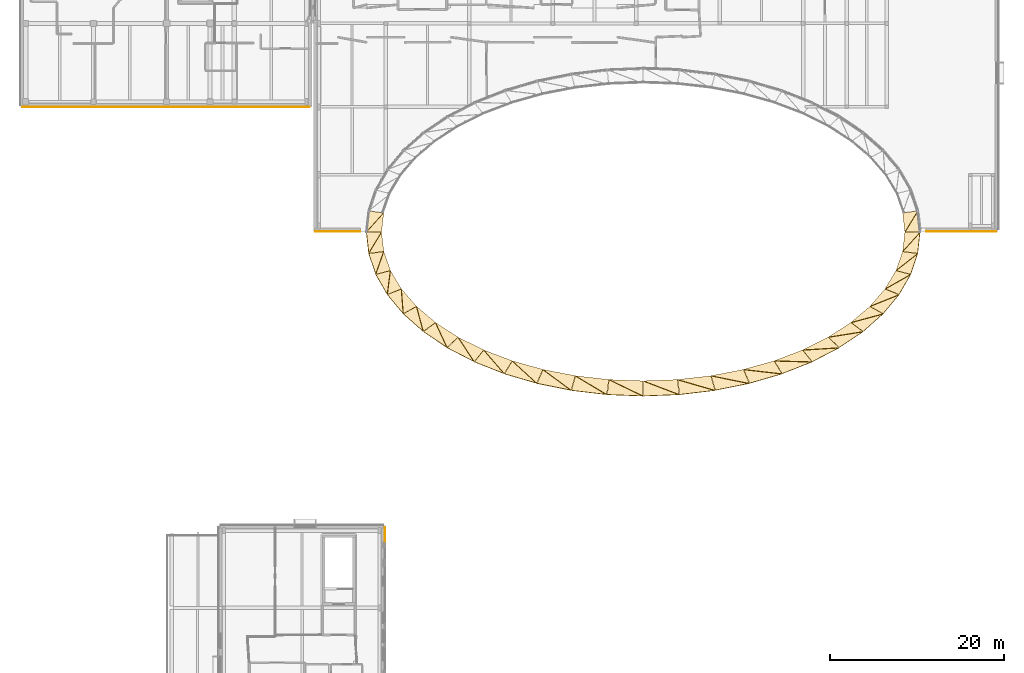
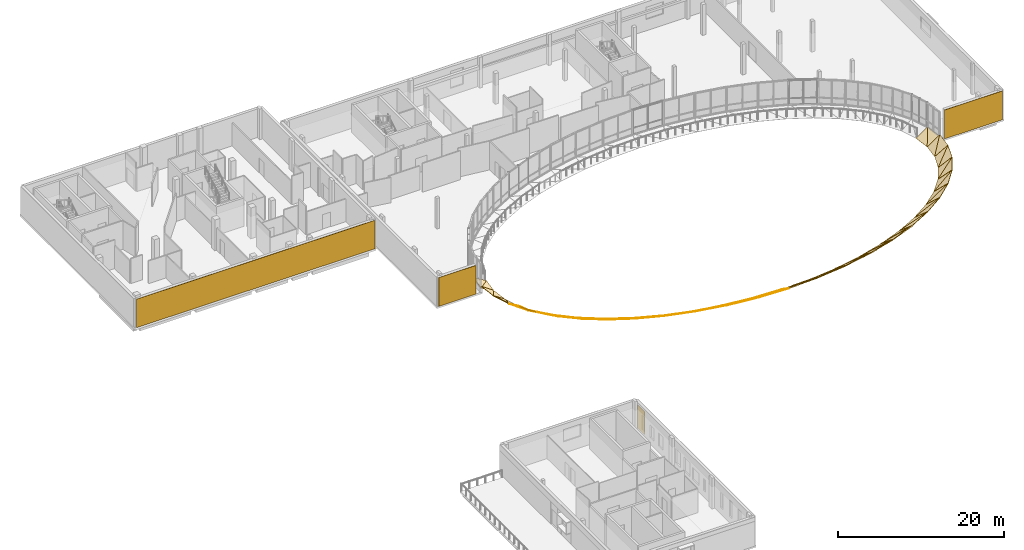
# One storey, part 31 of 41: 56 coverings.
"""IFC4 building model written with IfcOpenShell, lengths in metres."""

from ifc_helpers import new_model, si_unit, direction, frame, origin, origin_2d, place, context, subcontext, project, spatial, polyline, rectangle, outline, extrude, material, layer, layer_set, type_object, element, save


model = new_model("IFC4")

# Units and contexts
model_context = context("Model", 3, precision=1e-05, world=origin(), true_north=direction((0.0, 1.0)))
body_context = subcontext(model_context, "Body", "Model", "MODEL_VIEW")
ifc_project = project(units=[si_unit("LENGTHUNIT", "METRE"), si_unit("AREAUNIT", "SQUARE_METRE"), si_unit("VOLUMEUNIT", "CUBIC_METRE"), si_unit("PLANEANGLEUNIT", "RADIAN"), si_unit("MASSUNIT", "GRAM", prefix="KILO")], contexts=[model_context])

# Site, building, storey
site_placement = place(None, origin())
site = spatial("IfcSite", under=ifc_project, at=site_placement, CompositionType="ELEMENT")
building_placement = place(site_placement, origin())
building = spatial("IfcBuilding", under=site, at=building_placement, Name="Mzevani Central Library", CompositionType="ELEMENT")
storey_placement = place(building_placement, frame((0.0, 0.0, 13.800048828125)))
storey = spatial("IfcBuildingStorey", under=building, at=storey_placement, Name="L03", CompositionType="ELEMENT", Elevation=13.800048828125)

# Coverings
ifc_material = material(Name="Limestone ashlar cladding", Category="masonry")
ifc_layer = layer(ifc_material, 0.050048828125, Name="Limestone Ashlar Spandrel Cladding")
ifc_layer_set = layer_set([ifc_layer], Name="Limestone ashlar cladding")
covering_type = type_object("IfcCoveringType", Name="Limestone Ashlar Spandrel Cladding", PredefinedType="CLADDING", material=ifc_layer_set)
covering_1_placement = place(storey_placement, frame((114.079833984375, 76.0029296875, -0.280029296875), z_axis=(-0.47997782433, -0.055465276896, 0.875525494323), x_axis=(-0.114794080666, 0.993389308904, 0.0)))
element("IfcCovering", 1, at=covering_1_placement, inside=storey, type_object=covering_type, Name="L03 Curved Court Spandrel Apron 1A", PredefinedType="CLADDING", context=body_context, shape_type="SweptSolid", body=[
    extrude(outline(polyline([(0.0, 0.0), (2.2352354353658583, -2.7755575615628914e-17), (2.2497602106390158, -1.9867895638883821), (0.0, 0.0)])), origin(), (0.0, 0.0, -1.0), 0.06005859375),
])
covering_2_placement = place(storey_placement, frame((114.079833984375, 76.0029296875, -0.280029296875), z_axis=(-0.482241605651, -0.053652407784, 0.874393763083), x_axis=(0.489670774903, 0.81112906434, 0.319831476232)))
element("IfcCovering", 2, at=covering_2_placement, inside=storey, type_object=covering_type, Name="L03 Curved Court Spandrel Apron 1B", PredefinedType="CLADDING", context=body_context, shape_type="SweptSolid", body=[
    extrude(outline(polyline([(0.0, 0.0), (3.0014586081687504, 1.1102230246251565e-16), (1.1634047404029688, -1.6110894686212238), (0.0, 0.0)])), origin(), (0.0, 0.0, -1.0), 0.06005859375),
])
covering_3_placement = place(storey_placement, frame((54.1767578125, 78.223388671875, -0.280029296875), z_axis=(0.482182011193, -0.055719988319, 0.874297312694), x_axis=(-0.114794080666, -0.993389308904, 0.0)))
element("IfcCovering", 3, at=covering_3_placement, inside=storey, type_object=covering_type, Name="L03 Curved Court Spandrel Apron 24A", PredefinedType="CLADDING", context=body_context, shape_type="SweptSolid", body=[
    extrude(outline(polyline([(0.0, 0.0), (2.2352354353658583, 0.0), (2.429640427580471, -1.977707401234155), (0.0, 0.0)])), origin(), (0.0, 0.0, -1.0), 0.06005859375),
])
covering_4_placement = place(storey_placement, frame((54.1767578125, 78.223388671875, -0.280029296875), z_axis=(0.480225435145, -0.053428096151, 0.875516401892), x_axis=(-0.637314103568, -0.707061734125, 0.306421992569)))
element("IfcCovering", 4, at=covering_4_placement, inside=storey, type_object=covering_type, Name="L03 Curved Court Spandrel Apron 24B", PredefinedType="CLADDING", context=body_context, shape_type="SweptSolid", body=[
    extrude(outline(polyline([(0.0, 0.0), (3.1328069158870564, -1.1102230246251565e-16), (1.2429702539752843, -1.5500221572626436), (0.0, 0.0)])), origin(), (0.0, 0.0, -1.0), 0.06005859375),
])
covering_5_placement = place(storey_placement, frame((53.920166015625, 75.9970703125, -0.280029296875), z_axis=(0.5735270225, 0.066275635035, 0.816501252089), x_axis=(0.114794080666, -0.993389308904, 0.0)))
element("IfcCovering", 5, at=covering_5_placement, inside=storey, type_object=covering_type, Name="L03 Curved Court Spandrel Apron 25A", PredefinedType="CLADDING", context=body_context, shape_type="SweptSolid", body=[
    extrude(outline(polyline([(0.0, 0.0), (2.2352354353658583, 0.0), (2.2497602106390153, -2.1304130405056148), (0.0, 0.0)])), origin(), (0.0, 0.0, -1.0), 0.06005859375),
])
covering_6_placement = place(storey_placement, frame((53.920166015625, 75.9970703125, -0.280029296875), z_axis=(0.575913847332, 0.064074033065, 0.814995557496), x_axis=(-0.474350213883, -0.785750885854, 0.39697282019)))
element("IfcCovering", 6, at=covering_6_placement, inside=storey, type_object=covering_type, Name="L03 Curved Court Spandrel Apron 25B", PredefinedType="CLADDING", context=body_context, shape_type="SweptSolid", body=[
    extrude(outline(polyline([(0.0, 0.0), (3.098399704449199, -1.1102230246251565e-16), (1.3178538969597815, -1.6744276407605159), (0.0, 0.0)])), origin(), (0.0, 0.0, -1.0), 0.06005859375),
])
covering_7_placement = place(storey_placement, frame((54.17724609375, 73.7705078125, -0.280029296875), z_axis=(0.546413690151, 0.19161151215, 0.815301850621), x_axis=(0.330914578924, -0.943660713104, 0.0)))
element("IfcCovering", 7, at=covering_7_placement, inside=storey, type_object=covering_type, Name="L03 Curved Court Spandrel Apron 26A", PredefinedType="CLADDING", context=body_context, shape_type="SweptSolid", body=[
    extrude(outline(polyline([(0.0, 0.0), (2.3129257763854043, 0.0), (2.160956113418413, -2.1241858818043133), (0.0, 0.0)])), origin(), (0.0, 0.0, -1.0), 0.06005859375),
])
covering_8_placement = place(storey_placement, frame((54.17724609375, 73.7705078125, -0.280029296875), z_axis=(0.55392117989, 0.187075834067, 0.811279211355), x_axis=(-0.303346385566, -0.862099953666, 0.405912109025)))
element("IfcCovering", 8, at=covering_8_placement, inside=storey, type_object=covering_type, Name="L03 Curved Court Spandrel Apron 26B", PredefinedType="CLADDING", context=body_context, shape_type="SweptSolid", body=[
    extrude(outline(polyline([(0.0, 0.0), (3.0301645144409535, 0.0), (1.2163499550341168, -1.7496973851013826), (0.0, 0.0)])), origin(), (0.0, 0.0, -1.0), 0.06005859375),
])
covering_9_placement = place(storey_placement, frame((54.943603515625, 71.581787109375, -0.280029296875), z_axis=(0.500145024317, 0.299414823386, 0.812530441391), x_axis=(0.513647601464, -0.858001247965, 0.0)))
element("IfcCovering", 9, at=covering_9_placement, inside=storey, type_object=covering_type, Name="L03 Curved Court Spandrel Apron 27A", PredefinedType="CLADDING", context=body_context, shape_type="SweptSolid", body=[
    extrude(outline(polyline([(0.0, 0.0), (2.455914533191977, 2.220446049250313e-16), (2.1741932049291943, -2.1100375408153296), (0.0, 0.0)])), origin(), (0.0, 0.0, -1.0), 0.06005859375),
])
covering_10_placement = place(storey_placement, frame((54.943603515625, 71.581787109375, -0.280029296875), z_axis=(0.512199356222, 0.295180440173, 0.806548403523), x_axis=(-0.11692326112, -0.906376871867, 0.405967876997)))
element("IfcCovering", 10, at=covering_10_placement, inside=storey, type_object=covering_type, Name="L03 Curved Court Spandrel Apron 27B", PredefinedType="CLADDING", context=body_context, shape_type="SweptSolid", body=[
    extrude(outline(polyline([(0.0, 0.0), (3.0297482595110576, 0.0), (1.095514759993459, -1.827269831370267), (0.0, 0.0)])), origin(), (0.0, 0.0, -1.0), 0.06005859375),
])
covering_11_placement = place(storey_placement, frame((56.20654296875, 69.468017578125, -0.280029296875), z_axis=(0.442788848912, 0.385097373002, 0.809714794595), x_axis=(0.65624041915, -0.754551861884, 0.0)))
element("IfcCovering", 11, at=covering_11_placement, inside=storey, type_object=covering_type, Name="L03 Curved Court Spandrel Apron 28A", PredefinedType="CLADDING", context=body_context, shape_type="SweptSolid", body=[
    extrude(outline(polyline([(0.0, 0.0), (2.6447558737265093, 0.0), (2.2791691206791382, -2.0959968957131534), (0.0, 0.0)])), origin(), (0.0, 0.0, -1.0), 0.06005859375),
])
covering_12_placement = place(storey_placement, frame((56.20654296875, 69.468017578125, -0.280029296875), z_axis=(0.457545474013, 0.383061327081, 0.802443866513), x_axis=(0.069463416618, -0.915087869776, 0.397226666201)))
element("IfcCovering", 12, at=covering_12_placement, inside=storey, type_object=covering_type, Name="L03 Curved Court Spandrel Apron 28B", PredefinedType="CLADDING", context=body_context, shape_type="SweptSolid", body=[
    extrude(outline(polyline([(0.0, 0.0), (3.0964196852972776, 0.0), (0.9712517236490238, -1.8957277798903167), (0.0, 0.0)])), origin(), (0.0, 0.0, -1.0), 0.06005859375),
])
covering_13_placement = place(storey_placement, frame((57.9443359375, 67.465576171875, -0.280029296875), z_axis=(0.381291681856, 0.44925910001, 0.807949821713), x_axis=(0.762423614177, -0.647078227531, 0.0)))
element("IfcCovering", 13, at=covering_13_placement, inside=storey, type_object=covering_type, Name="L03 Curved Court Spandrel Apron 29A", PredefinedType="CLADDING", context=body_context, shape_type="SweptSolid", body=[
    extrude(outline(polyline([(0.0, 0.0), (2.8595333889310774, 0.0), (2.454430747507569, -2.0873615121675813), (0.0, 0.0)])), origin(), (0.0, 0.0, -1.0), 0.06005859375),
])
covering_14_placement = place(storey_placement, frame((57.9443359375, 67.465576171875, -0.280029296875), z_axis=(0.39675879256, 0.450061891319, 0.800016721393), x_axis=(0.242094469604, -0.891998778147, 0.381743955514)))
element("IfcCovering", 14, at=covering_14_placement, inside=storey, type_object=covering_type, Name="L03 Curved Court Spandrel Apron 29B", PredefinedType="CLADDING", context=body_context, shape_type="SweptSolid", body=[
    extrude(outline(polyline([(0.0, 0.0), (3.2220037828638715, 0.0), (0.8602863879682051, -1.9478026607298742), (0.0, 0.0)])), origin(), (0.0, 0.0, -1.0), 0.06005859375),
])
covering_15_placement = place(storey_placement, frame((60.127685546875, 65.60791015625, -0.280029296875), z_axis=(0.32019129838, 0.495168157045, 0.807642265295), x_axis=(0.839733807204, -0.54299828088, 0.0)))
element("IfcCovering", 15, at=covering_15_placement, inside=storey, type_object=covering_type, Name="L03 Curved Court Spandrel Apron 30A", PredefinedType="CLADDING", context=body_context, shape_type="SweptSolid", body=[
    extrude(outline(polyline([(0.0, 0.0), (3.081217311430392, 2.220446049250313e-16), (2.674139354776294, -2.085869551817346), (0.0, 0.0)])), origin(), (0.0, 0.0, -1.0), 0.06005859375),
])
covering_16_placement = place(storey_placement, frame((60.127685546875, 65.60791015625, -0.280029296875), z_axis=(0.334759648542, 0.498500295628, 0.799645817201), x_axis=(0.392402665385, -0.845274646294, 0.362671918586)))
element("IfcCovering", 16, at=covering_16_placement, inside=storey, type_object=covering_type, Name="L03 Curved Court Spandrel Apron 30B", PredefinedType="CLADDING", context=body_context, shape_type="SweptSolid", body=[
    extrude(outline(polyline([(0.0, 0.0), (3.3914411503020463, 0.0), (0.7747889580100609, -1.9829345938063447), (0.0, 0.0)])), origin(), (0.0, 0.0, -1.0), 0.06005859375),
])
covering_17_placement = place(storey_placement, frame((62.719482421875, 63.927001953125, -0.280029296875), z_axis=(0.261973641642, 0.526780608858, 0.808623522547), x_axis=(0.89538829801, -0.44528619537, 0.0)))
element("IfcCovering", 17, at=covering_17_placement, inside=storey, type_object=covering_type, Name="L03 Curved Court Spandrel Apron 31A", PredefinedType="CLADDING", context=body_context, shape_type="SweptSolid", body=[
    extrude(outline(polyline([(0.0, 0.0), (3.2951507850640365, 0.0), (2.916792839771798, -2.0906428596265743), (0.0, 0.0)])), origin(), (0.0, 0.0, -1.0), 0.06005859375),
])
covering_18_placement = place(storey_placement, frame((62.719482421875, 63.927001953125, -0.280029296875), z_axis=(0.274739668398, 0.531887640919, 0.801007897618), x_axis=(0.517989340069, -0.783719096086, 0.342741042195)))
element("IfcCovering", 18, at=covering_18_placement, inside=storey, type_object=covering_type, Name="L03 Curved Court Spandrel Apron 31B", PredefinedType="CLADDING", context=body_context, shape_type="SweptSolid", body=[
    extrude(outline(polyline([(0.0, 0.0), (3.588658250189284, -2.220446049250313e-16), (0.7208752017253054, -2.0025370154272646), (0.0, 0.0)])), origin(), (0.0, 0.0, -1.0), 0.06005859375),
])
covering_19_placement = place(storey_placement, frame((65.67626953125, 62.451416015625, -0.280029296875), z_axis=(0.20758036061, 0.547808834754, 0.810441777338), x_axis=(0.93511588963, -0.354342028217, 0.0)))
element("IfcCovering", 19, at=covering_19_placement, inside=storey, type_object=covering_type, Name="L03 Curved Court Spandrel Apron 32A", PredefinedType="CLADDING", context=body_context, shape_type="SweptSolid", body=[
    extrude(outline(polyline([(0.0, 0.0), (3.4890812450952597, 1.1102230246251565e-16), (3.164211003032522, -2.09959060039599), (0.0, 0.0)])), origin(), (0.0, 0.0, -1.0), 0.06005859375),
])
covering_20_placement = place(storey_placement, frame((65.67626953125, 62.451416015625, -0.280029296875), z_axis=(0.217917053909, 0.553721727055, 0.803681781928), x_axis=(0.620407480774, -0.714272239523, 0.323897708615)))
element("IfcCovering", 20, at=covering_20_placement, inside=storey, type_object=covering_type, Name="L03 Curved Court Spandrel Apron 32B", PredefinedType="CLADDING", context=body_context, shape_type="SweptSolid", body=[
    extrude(outline(polyline([(0.0, 0.0), (3.7974349185974576, 1.1102230246251565e-16), (0.6991574982329967, -2.0103259258387185), (0.0, 0.0)])), origin(), (0.0, 0.0, -1.0), 0.06005859375),
])
covering_21_placement = place(storey_placement, frame((68.947509765625, 61.20654296875, -0.280029296875), z_axis=(0.156933696402, 0.561239436201, 0.812638978998), x_axis=(0.963059013097, -0.269290432977, 0.0)))
element("IfcCovering", 21, at=covering_21_placement, inside=storey, type_object=covering_type, Name="L03 Curved Court Spandrel Apron 33A", PredefinedType="CLADDING", context=body_context, shape_type="SweptSolid", body=[
    extrude(outline(polyline([(0.0, 0.0), (3.6545333174156096, 1.1102230246251565e-16), (3.402758677857248, -2.1105854292438666), (0.0, 0.0)])), origin(), (0.0, 0.0, -1.0), 0.06005859375),
])
covering_22_placement = place(storey_placement, frame((68.947509765625, 61.20654296875, -0.280029296875), z_axis=(0.164745206954, 0.567102974923, 0.807002622436), x_axis=(0.703064318218, -0.641360988928, 0.307175269723)))
element("IfcCovering", 22, at=covering_22_placement, inside=storey, type_object=covering_type, Name="L03 Curved Court Spandrel Apron 33B", PredefinedType="CLADDING", context=body_context, shape_type="SweptSolid", body=[
    extrude(outline(polyline([(0.0, 0.0), (4.004165015814074, 1.1102230246251565e-16), (0.707199212595653, -2.0079392534418745), (0.0, 0.0)])), origin(), (0.0, 0.0, -1.0), 0.06005859375),
])
covering_23_placement = place(storey_placement, frame((72.478515625, 60.214111328125, -0.280029296875), z_axis=(0.109638122256, 0.569519529263, 0.81463303882), x_axis=(0.981969613273, -0.189038828311, 0.0)))
element("IfcCovering", 23, at=covering_23_placement, inside=storey, type_object=covering_type, Name="L03 Curved Court Spandrel Apron 34A", PredefinedType="CLADDING", context=body_context, shape_type="SweptSolid", body=[
    extrude(outline(polyline([(0.0, 0.0), (3.784048164297047, 0.0), (3.6216239517819195, -2.1207410513115637), (0.0, 0.0)])), origin(), (0.0, 0.0, -1.0), 0.06005859375),
])
covering_24_placement = place(storey_placement, frame((72.478515625, 60.214111328125, -0.280029296875), z_axis=(0.114876946011, 0.574456393774, 0.810433920148), x_axis=(0.769558675009, -0.56735246484, 0.293071026132)))
element("IfcCovering", 24, at=covering_24_placement, inside=storey, type_object=covering_type, Name="L03 Curved Court Spandrel Apron 34B", PredefinedType="CLADDING", context=body_context, shape_type="SweptSolid", body=[
    extrude(outline(polyline([(0.0, 0.0), (4.196868196028864, 2.220446049250313e-16), (0.7406922487566316, -1.9968414063289384), (0.0, 0.0)])), origin(), (0.0, 0.0, -1.0), 0.06005859375),
])
covering_25_placement = place(storey_placement, frame((76.208984375, 59.491943359375, -0.280029296875), z_axis=(0.064829182205, 0.574461623539, 0.815960182984), x_axis=(0.993692390182, -0.112140241191, 0.0)))
element("IfcCovering", 25, at=covering_25_placement, inside=storey, type_object=covering_type, Name="L03 Curved Court Spandrel Apron 35A", PredefinedType="CLADDING", context=body_context, shape_type="SweptSolid", body=[
    extrude(outline(polyline([(0.0, 0.0), (3.8730625800556404, 0.0), (3.81223115177477, -2.1275959642686697), (0.0, 0.0)])), origin(), (0.0, 0.0, -1.0), 0.06005859375),
])
covering_26_placement = place(storey_placement, frame((76.208984375, 59.491943359375, -0.280029296875), z_axis=(0.067673772457, 0.577749610099, 0.813403742647), x_axis=(0.823113109843, -0.493062591853, 0.281734074828)))
element("IfcCovering", 26, at=covering_26_placement, inside=storey, type_object=covering_type, Name="L03 Curved Court Spandrel Apron 35B", PredefinedType="CLADDING", context=body_context, shape_type="SweptSolid", body=[
    extrude(outline(polyline([(0.0, 0.0), (4.36574975711324, 0.0), (0.7947536804281401, -1.9768724432943368), (0.0, 0.0)])), origin(), (0.0, 0.0, -1.0), 0.06005859375),
])
covering_27_placement = place(storey_placement, frame((80.074951171875, 59.0537109375, -0.280029296875), z_axis=(0.021447774697, 0.577182648264, 0.816333377673), x_axis=(0.999310302788, -0.037133795153, 0.0)))
element("IfcCovering", 27, at=covering_27_placement, inside=storey, type_object=covering_type, Name="L03 Curved Court Spandrel Apron 36A", PredefinedType="CLADDING", context=body_context, shape_type="SweptSolid", body=[
    extrude(outline(polyline([(0.0, 0.0), (3.9184740450005444, 1.3877787807814457e-17), (3.9669480544956444, -2.129537605376048), (0.0, 0.0)])), origin(), (0.0, 0.0, -1.0), 0.06005859375),
])
covering_28_placement = place(storey_placement, frame((80.074951171875, 59.0537109375, -0.280029296875), z_axis=(0.022322941551, 0.578410697178, 0.815440219557), x_axis=(0.866128743991, -0.418559304756, 0.273183285058)))
element("IfcCovering", 28, at=covering_28_placement, inside=storey, type_object=covering_type, Name="L03 Curved Court Spandrel Apron 36B", PredefinedType="CLADDING", context=body_context, shape_type="SweptSolid", body=[
    extrude(outline(polyline([(0.0, 0.0), (4.5024001687741535, -1.1102230246251565e-16), (0.8634158749059977, -1.9480062628234944), (0.0, 0.0)])), origin(), (0.0, 0.0, -1.0), 0.06005859375),
])
covering_29_placement = place(storey_placement, frame((84.00927734375, 58.908203125, -0.280029296875), z_axis=(-0.021496457164, 0.578492745727, 0.815404222132), x_axis=(0.999310302788, 0.037133795153, 0.0)))
element("IfcCovering", 29, at=covering_29_placement, inside=storey, type_object=covering_type, Name="L03 Curved Court Spandrel Apron 37A", PredefinedType="CLADDING", context=body_context, shape_type="SweptSolid", body=[
    extrude(outline(polyline([(0.0, 0.0), (3.9184740450005444, -1.3877787807814457e-17), (4.079103990928298, -2.1247148969945338), (0.0, 0.0)])), origin(), (0.0, 0.0, -1.0), 0.06005859375),
])
covering_30_placement = place(storey_placement, frame((84.00927734375, 58.908203125, -0.280029296875), z_axis=(-0.022274946463, 0.577167094402, 0.816322223083), x_axis=(0.900274096027, -0.343494910106, 0.267428118855)))
element("IfcCovering", 30, at=covering_30_placement, inside=storey, type_object=covering_type, Name="L03 Curved Court Spandrel Apron 37B", PredefinedType="CLADDING", context=body_context, shape_type="SweptSolid", body=[
    extrude(outline(polyline([(0.0, 0.0), (4.5992937242926395, 3.3306690738754696e-16), (0.9407800775908485, -1.9110763951018384), (0.0, 0.0)])), origin(), (0.0, 0.0, -1.0), 0.06005859375),
])
covering_31_placement = place(storey_placement, frame((87.9423828125, 59.0576171875, -0.280029296875), z_axis=(-0.065260115861, 0.578280194735, 0.813223913603), x_axis=(0.993692390182, 0.112140241191, 0.0)))
element("IfcCovering", 31, at=covering_31_placement, inside=storey, type_object=covering_type, Name="L03 Curved Court Spandrel Apron 38A", PredefinedType="CLADDING", context=body_context, shape_type="SweptSolid", body=[
    extrude(outline(polyline([(0.0, 0.0), (3.8730625800556404, 5.551115123125783e-17), (4.142465927325956, -2.1135467598541897), (0.0, 0.0)])), origin(), (0.0, 0.0, -1.0), 0.06005859375),
])
covering_32_placement = place(storey_placement, frame((87.9423828125, 59.0576171875, -0.280029296875), z_axis=(-0.067249722465, 0.574129378676, 0.81599811971), x_axis=(0.926585668683, -0.267371150742, 0.264483773305)))
element("IfcCovering", 32, at=covering_32_placement, inside=storey, type_object=covering_type, Name="L03 Curved Court Spandrel Apron 38B", PredefinedType="CLADDING", context=body_context, shape_type="SweptSolid", body=[
    extrude(outline(polyline([(0.0, 0.0), (4.650495012914931, -1.1102230246251565e-16), (1.021120466945278, -1.8675326079681924), (0.0, 0.0)])), origin(), (0.0, 0.0, -1.0), 0.06005859375),
])
covering_33_placement = place(storey_placement, frame((91.8056640625, 59.498779296875, -0.280029296875), z_axis=(-0.110856477839, 0.575848325155, 0.810005893643), x_axis=(0.981969613273, 0.189038828311, 0.0)))
element("IfcCovering", 33, at=covering_33_placement, inside=storey, type_object=covering_type, Name="L03 Curved Court Spandrel Apron 39A", PredefinedType="CLADDING", context=body_context, shape_type="SweptSolid", body=[
    extrude(outline(polyline([(0.0, 0.0), (3.784048164297047, 1.1102230246251565e-16), (4.153878148929162, -2.0974332866303276), (0.0, 0.0)])), origin(), (0.0, 0.0, -1.0), 0.06005859375),
])
covering_34_placement = place(storey_placement, frame((91.8056640625, 59.498779296875, -0.280029296875), z_axis=(-0.113680111437, 0.568471474286, 0.814811030354), x_axis=(0.945581071094, -0.18976678323, 0.264319893257)))
element("IfcCovering", 34, at=covering_34_placement, inside=storey, type_object=covering_type, Name="L03 Curved Court Spandrel Apron 39B", PredefinedType="CLADDING", context=body_context, shape_type="SweptSolid", body=[
    extrude(outline(polyline([(0.0, 0.0), (4.653378349974999, -2.220446049250313e-16), (1.100848216980626, -1.8199058862204422), (0.0, 0.0)])), origin(), (0.0, 0.0, -1.0), 0.06005859375),
])
covering_35_placement = place(storey_placement, frame((95.532958984375, 60.222412109375, -0.280029296875), z_axis=(-0.15930764644, 0.569729355265, 0.806244091783), x_axis=(0.963059013097, 0.269290432977, 0.0)))
element("IfcCovering", 35, at=covering_35_placement, inside=storey, type_object=covering_type, Name="L03 Curved Court Spandrel Apron 40A", PredefinedType="CLADDING", context=body_context, shape_type="SweptSolid", body=[
    extrude(outline(polyline([(0.0, 0.0), (3.6545333174156096, 0.0), (4.111864521082761, -2.0791341808457147), (0.0, 0.0)])), origin(), (0.0, 0.0, -1.0), 0.06005859375),
])
covering_36_placement = place(storey_placement, frame((95.532958984375, 60.222412109375, -0.280029296875), z_axis=(-0.162421621791, 0.559104489974, 0.813032217114), x_axis=(0.957407516594, -0.110052322318, 0.266944439017)))
element("IfcCovering", 36, at=covering_36_placement, inside=storey, type_object=covering_type, Name="L03 Curved Court Spandrel Apron 40B", PredefinedType="CLADDING", context=body_context, shape_type="SweptSolid", body=[
    extrude(outline(polyline([(0.0, 0.0), (4.60762723988173, -1.1102230246251565e-16), (1.177003475669117, -1.769922072161393), (0.0, 0.0)])), origin(), (0.0, 0.0, -1.0), 0.06005859375),
])
covering_37_placement = place(storey_placement, frame((99.06103515625, 61.215087890625, -0.280029296875), z_axis=(-0.211396154331, 0.557878792749, 0.802547767136), x_axis=(0.93511588963, 0.354342028217, 0.0)))
element("IfcCovering", 37, at=covering_37_placement, inside=storey, type_object=covering_type, Name="L03 Curved Court Spandrel Apron 41A", PredefinedType="CLADDING", context=body_context, shape_type="SweptSolid", body=[
    extrude(outline(polyline([(0.0, 0.0), (3.4890812450952597, -1.1102230246251565e-16), (4.017907647982616, -2.0616920650387978), (0.0, 0.0)])), origin(), (0.0, 0.0, -1.0), 0.06005859375),
])
covering_38_placement = place(storey_placement, frame((99.06103515625, 61.215087890625, -0.280029296875), z_axis=(-0.214202728314, 0.544283719581, 0.811093350843), x_axis=(0.961806134662, -0.027355061781, 0.272361267294)))
element("IfcCovering", 38, at=covering_38_placement, inside=storey, type_object=covering_type, Name="L03 Curved Court Spandrel Apron 41B", PredefinedType="CLADDING", context=body_context, shape_type="SweptSolid", body=[
    extrude(outline(polyline([(0.0, 0.0), (4.515988932533066, 0.0), (1.247483582101115, -1.719769192606167), (0.0, 0.0)])), origin(), (0.0, 0.0, -1.0), 0.06005859375),
])
covering_39_placement = place(storey_placement, frame((102.330078125, 62.459716796875, -0.280029296875), z_axis=(-0.267477411033, 0.537847672602, 0.799484656303), x_axis=(0.89538829801, 0.44528619537, 0.0)))
element("IfcCovering", 39, at=covering_39_placement, inside=storey, type_object=covering_type, Name="L03 Curved Court Spandrel Apron 42A", PredefinedType="CLADDING", context=body_context, shape_type="SweptSolid", body=[
    extrude(outline(polyline([(0.0, 0.0), (3.2951507850640365, 0.0), (3.8757100888285034, -2.0476245870352683), (0.0, 0.0)])), origin(), (0.0, 0.0, -1.0), 0.06005859375),
])
covering_40_placement = place(storey_placement, frame((102.330078125, 62.459716796875, -0.280029296875), z_axis=(-0.269417384268, 0.521583860738, 0.809545890776), x_axis=(0.957989592146, 0.059317378816, 0.280601835188)))
element("IfcCovering", 40, at=covering_40_placement, inside=storey, type_object=covering_type, Name="L03 Curved Court Spandrel Apron 42B", PredefinedType="CLADDING", context=body_context, shape_type="SweptSolid", body=[
    extrude(outline(polyline([(0.0, 0.0), (4.38336573218325, -1.1102230246251565e-16), (1.311036317110302, -1.6718630555434864), (0.0, 0.0)])), origin(), (0.0, 0.0, -1.0), 0.06005859375),
])
covering_41_placement = place(storey_placement, frame((105.284912109375, 63.934814453125, -0.280029296875), z_axis=(-0.327372397059, 0.506273553777, 0.797818527229), x_axis=(0.839733807204, 0.54299828088, 0.0)))
element("IfcCovering", 41, at=covering_41_placement, inside=storey, type_object=covering_type, Name="L03 Curved Court Spandrel Apron 43A", PredefinedType="CLADDING", context=body_context, shape_type="SweptSolid", body=[
    extrude(outline(polyline([(0.0, 0.0), (3.081217311430392, -2.220446049250313e-16), (3.689706456503497, -2.0401148235078472), (0.0, 0.0)])), origin(), (0.0, 0.0, -1.0), 0.06005859375),
])
covering_42_placement = place(storey_placement, frame((105.284912109375, 63.934814453125, -0.280029296875), z_axis=(-0.327873635303, 0.488246133723, 0.808773511051), x_axis=(0.944503543781, 0.151018652577, 0.291730050491)))
element("IfcCovering", 42, at=covering_42_placement, inside=storey, type_object=covering_type, Name="L03 Curved Court Spandrel Apron 43B", PredefinedType="CLADDING", context=body_context, shape_type="SweptSolid", body=[
    extrude(outline(polyline([(0.0, 0.0), (4.216159654028775, 0.0), (1.3654212748454717, -1.62855426442957), (0.0, 0.0)])), origin(), (0.0, 0.0, -1.0), 0.06005859375),
])
covering_43_placement = place(storey_placement, frame((107.87548828125, 65.615234375, -0.280029296875), z_axis=(-0.389920230371, 0.459425736537, 0.798054012304), x_axis=(0.762423614177, 0.647078227531, 0.0)))
element("IfcCovering", 43, at=covering_43_placement, inside=storey, type_object=covering_type, Name="L03 Curved Court Spandrel Apron 44A", PredefinedType="CLADDING", context=body_context, shape_type="SweptSolid", body=[
    extrude(outline(polyline([(0.0, 0.0), (2.8595333889310774, 2.220446049250313e-16), (3.465876366433205, -2.041170269258205), (0.0, 0.0)])), origin(), (0.0, 0.0, -1.0), 0.06005859375),
])
covering_44_placement = place(storey_placement, frame((107.87548828125, 65.615234375, -0.280029296875), z_axis=(-0.388564707126, 0.44076696035, 0.809161266399), x_axis=(0.919016132887, 0.248797776151, 0.305792436265)))
element("IfcCovering", 44, at=covering_44_placement, inside=storey, type_object=covering_type, Name="L03 Curved Court Spandrel Apron 44B", PredefinedType="CLADDING", context=body_context, shape_type="SweptSolid", body=[
    extrude(outline(polyline([(0.0, 0.0), (4.022272374604167, 0.0), (1.4081862159678264, -1.5931722486049797), (0.0, 0.0)])), origin(), (0.0, 0.0, -1.0), 0.06005859375),
])
covering_45_placement = place(storey_placement, frame((110.057861328125, 67.472412109375, -0.280029296875), z_axis=(-0.452088949522, 0.393185752649, 0.800637586948), x_axis=(0.65624041915, 0.754551861884, 0.0)))
element("IfcCovering", 45, at=covering_45_placement, inside=storey, type_object=covering_type, Name="L03 Curved Court Spandrel Apron 45A", PredefinedType="CLADDING", context=body_context, shape_type="SweptSolid", body=[
    extrude(outline(polyline([(0.0, 0.0), (2.6447558737265093, 0.0), (3.2129109989684634, -2.0528793144752493), (0.0, 0.0)])), origin(), (0.0, 0.0, -1.0), 0.06005859375),
])
covering_46_placement = place(storey_placement, frame((110.057861328125, 67.472412109375, -0.280029296875), z_axis=(-0.448810925921, 0.375748682166, 0.810790774876), x_axis=(0.878270876284, 0.352947584578, 0.322596141347)))
element("IfcCovering", 46, at=covering_46_placement, inside=storey, type_object=covering_type, Name="L03 Curved Court Spandrel Apron 45B", PredefinedType="CLADDING", context=body_context, shape_type="SweptSolid", body=[
    extrude(outline(polyline([(0.0, 0.0), (3.8127562952663125, 1.1102230246251565e-16), (1.4364732097972484, -1.5695226594024332), (0.0, 0.0)])), origin(), (0.0, 0.0, -1.0), 0.06005859375),
])
covering_47_placement = place(storey_placement, frame((111.794921875, 69.474609375, -0.280029296875), z_axis=(-0.508770136398, 0.304578298548, 0.805223576632), x_axis=(0.513647601464, 0.858001247965, 0.0)))
element("IfcCovering", 47, at=covering_47_placement, inside=storey, type_object=covering_type, Name="L03 Curved Court Spandrel Apron 46A", PredefinedType="CLADDING", context=body_context, shape_type="SweptSolid", body=[
    extrude(outline(polyline([(0.0, 0.0), (2.455914533191977, -2.220446049250313e-16), (2.9422135235032267, -2.0742663565756714), (0.0, 0.0)])), origin(), (0.0, 0.0, -1.0), 0.06005859375),
])
covering_48_placement = place(storey_placement, frame((111.794921875, 69.474609375, -0.280029296875), z_axis=(-0.504188577893, 0.290563829386, 0.813244452163), x_axis=(0.817896295697, 0.462932016122, 0.341671769297)))
element("IfcCovering", 48, at=covering_48_placement, inside=storey, type_object=covering_type, Name="L03 Curved Court Spandrel Apron 46B", PredefinedType="CLADDING", context=body_context, shape_type="SweptSolid", body=[
    extrude(outline(polyline([(0.0, 0.0), (3.599889072722517, 0.0), (1.4459684991334696, -1.5623061255598572), (0.0, 0.0)])), origin(), (0.0, 0.0, -1.0), 0.06005859375),
])
covering_49_placement = place(storey_placement, frame((113.057373046875, 71.587890625, -0.280029296875), z_axis=(-0.5525802813, 0.193773957704, 0.810621172949), x_axis=(0.330914578924, 0.943660713104, 0.0)))
element("IfcCovering", 49, at=covering_49_placement, inside=storey, type_object=covering_type, Name="L03 Curved Court Spandrel Apron 47A", PredefinedType="CLADDING", context=body_context, shape_type="SweptSolid", body=[
    extrude(outline(polyline([(0.0, 0.0), (2.3129257763854043, -1.1102230246251565e-16), (2.671992277308063, -2.100480754602925), (0.0, 0.0)])), origin(), (0.0, 0.0, -1.0), 0.06005859375),
])
covering_50_placement = place(storey_placement, frame((113.057373046875, 71.587890625, -0.280029296875), z_axis=(-0.548248399773, 0.18515996569, 0.815560837247), x_axis=(0.732904822791, 0.576094940585, 0.36189106118)))
element("IfcCovering", 50, at=covering_50_placement, inside=storey, type_object=covering_type, Name="L03 Curved Court Spandrel Apron 47B", PredefinedType="CLADDING", context=body_context, shape_type="SweptSolid", body=[
    extrude(outline(polyline([(0.0, 0.0), (3.398758910315823, 3.3306690738754696e-16), (1.4322078486465504, -1.5760841085406225), (0.0, 0.0)])), origin(), (0.0, 0.0, -1.0), 0.06005859375),
])
covering_51_placement = place(storey_placement, frame((113.8232421875, 73.776611328125, -0.280029296875), z_axis=(-0.575815607732, 0.066540099365, 0.814867351824), x_axis=(0.114794080666, 0.993389308904, 0.0)))
element("IfcCovering", 51, at=covering_51_placement, inside=storey, type_object=covering_type, Name="L03 Curved Court Spandrel Apron 48A", PredefinedType="CLADDING", context=body_context, shape_type="SweptSolid", body=[
    extrude(outline(polyline([(0.0, 0.0), (2.2352354353658583, 0.0), (2.429640427580471, -2.121945691311855), (0.0, 0.0)])), origin(), (0.0, 0.0, -1.0), 0.06005859375),
])
covering_52_placement = place(storey_placement, frame((113.8232421875, 73.776611328125, -0.280029296875), z_axis=(-0.573820344163, 0.063841117687, 0.816489145254), x_axis=(0.618941058366, 0.686677943575, 0.381294332605)))
element("IfcCovering", 52, at=covering_52_placement, inside=storey, type_object=covering_type, Name="L03 Curved Court Spandrel Apron 48B", PredefinedType="CLADDING", context=body_context, shape_type="SweptSolid", body=[
    extrude(outline(polyline([(0.0, 0.0), (3.225803175057393, 1.1102230246251565e-16), (1.390448367884829, -1.6141635693136953), (0.0, 0.0)])), origin(), (0.0, 0.0, -1.0), 0.06005859375),
])
covering_53_placement = place(storey_placement, frame((29.14990234375, 90.3759765625, 0.0), z_axis=(0.0, 0.0, 1.0), x_axis=(-1.0, 0.0, 0.0)))
element("IfcCovering", 53, at=covering_53_placement, inside=storey, type_object=covering_type, Name="L03 Warm-White Facade Cladding (EW4-V2-L03-0028)", PredefinedType="CLADDING", context=body_context, shape_type="SweptSolid", body=[
    extrude(rectangle(XDim=33.080078125, YDim=0.050048828125, at=origin_2d()), origin(), (0.0, 0.0, 1.0), 4.179931640625),
])
covering_54_placement = place(storey_placement, frame((120.56689453125, 76.075927734375, 0.0), z_axis=(0.0, 0.0, 1.0), x_axis=(-1.0, 0.0, 0.0)))
element("IfcCovering", 54, at=covering_54_placement, inside=storey, type_object=covering_type, Name="L03 Warm-White Facade Cladding (EW4-V3-L03-0066)", PredefinedType="CLADDING", context=body_context, shape_type="SweptSolid", body=[
    extrude(rectangle(XDim=8.04638671875, YDim=0.050048828125, at=origin_2d()), origin(), (0.0, 0.0, 1.0), 4.239990234375),
])
covering_55_placement = place(storey_placement, frame((48.88330078125, 76.075927734375, 0.0), z_axis=(0.0, 0.0, 1.0), x_axis=(-1.0, 0.0, 0.0)))
element("IfcCovering", 55, at=covering_55_placement, inside=storey, type_object=covering_type, Name="L03 Warm-White Facade Cladding (EW4-V3-L03-0067)", PredefinedType="CLADDING", context=body_context, shape_type="SweptSolid", body=[
    extrude(rectangle(XDim=5.146484375, YDim=0.050048828125, at=origin_2d()), origin(), (0.0, 0.0, 1.0), 4.219970703125),
])
covering_56_placement = place(storey_placement, frame((54.323974609375, 41.260009765625, 0.0), z_axis=(0.0, 0.0, 1.0), x_axis=(0.0, -1.0, 0.0)))
element("IfcCovering", 56, at=covering_56_placement, inside=storey, type_object=covering_type, Name="L03 Warm-White Facade Pier 1 (EW4-V4-L03-0087)", PredefinedType="CLADDING", context=body_context, shape_type="SweptSolid", body=[
    extrude(rectangle(XDim=1.659912109375, YDim=0.050048828125, at=origin_2d()), origin(), (0.0, 0.0, 1.0), 3.35009765625),
])

save(model, "model.ifc")
